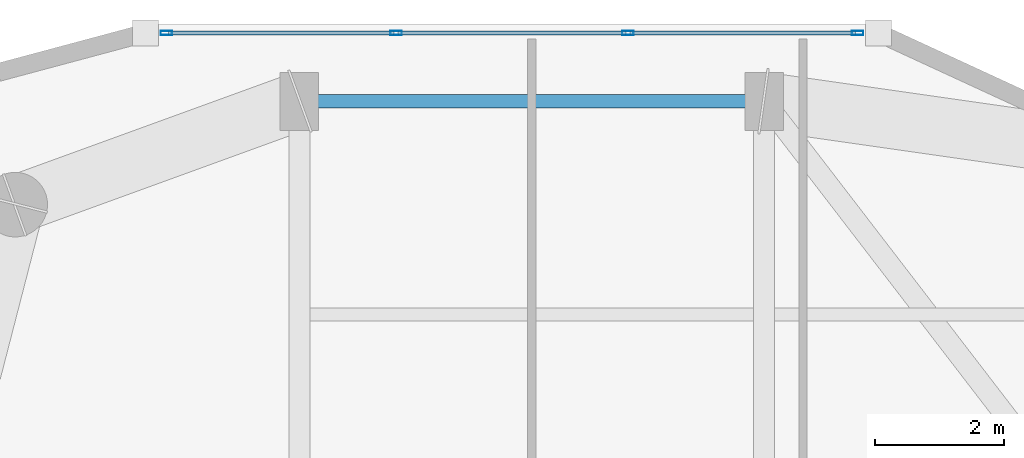
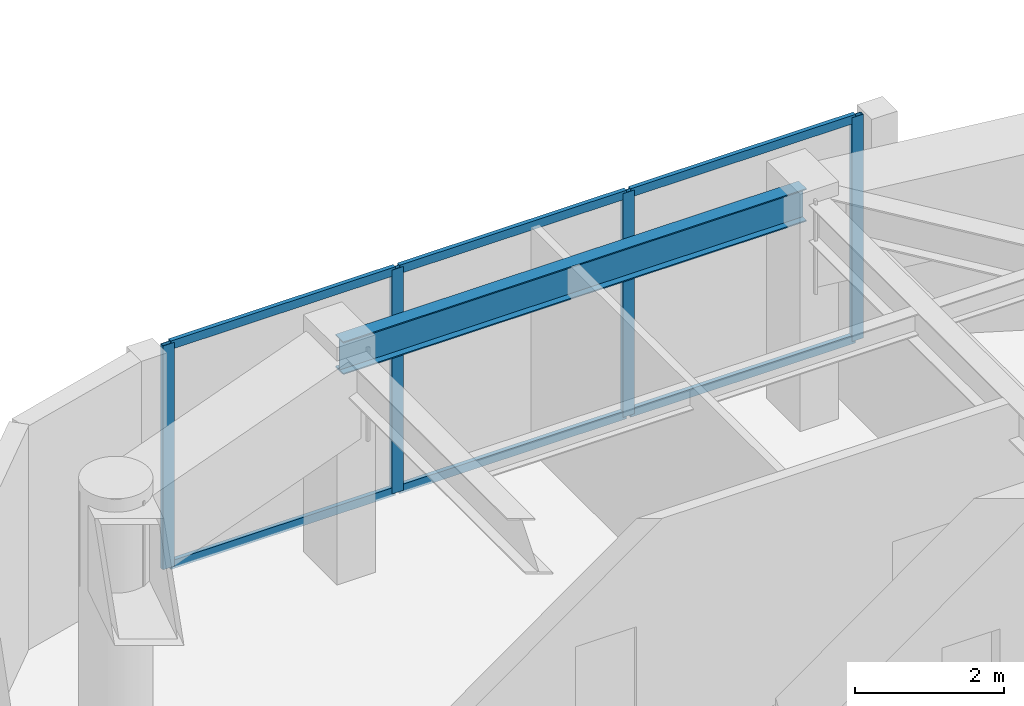
# One storey, part 6 of 15: 10 members, 1 beam, 1 element without a shape of its own.
"""IFC4 building model written with IfcOpenShell, lengths in metres."""

import ifcopenshell
import ifcopenshell.guid

model = None  # the IFC model being written
_history = None  # IfcOwnerHistory: only IFC2X3 demands one
_inside = {}  # id of a spatial element -> (the spatial element, [elements in it])
_under = {}  # id of a project, library or spatial element -> (it, [spatial elements below it])
_declared = {}  # id of a project -> (the project, [libraries it declares])
_typed = {}  # id of a type object -> (the type object, [elements of that type])
_made_of = {}  # id of a material, layer set ... -> (it, [elements and type objects made of it])


def new_model(schema):
    """Start an empty IFC model of exactly this schema.

    Asked for "IFC4X3", IfcOpenShell would pick the latest addendum, in which some entities
    have other attributes; the version numbers below select the first issue.
    IFC2X3 requires an IfcOwnerHistory on every rooted entity: one is made here for all.
    """
    global model, _history
    if schema == "IFC4X3":
        model = ifcopenshell.file(schema_version=(4, 3, 0, 0))
    else:
        model = ifcopenshell.file(schema=schema)
    _inside.clear()
    _under.clear()
    _declared.clear()
    _typed.clear()
    _made_of.clear()
    _history = None
    if model.schema == "IFC2X3":
        org = make("IfcOrganization", Name="unknown")
        user = make(
            "IfcPersonAndOrganization",
            ThePerson=make("IfcPerson", FamilyName="unknown"),
            TheOrganization=org,
        )
        app = make(
            "IfcApplication",
            ApplicationDeveloper=org,
            Version="unknown",
            ApplicationFullName="unknown",
            ApplicationIdentifier="unknown",
        )
        _history = make(
            "IfcOwnerHistory",
            OwningUser=user,
            OwningApplication=app,
            ChangeAction="ADDED",
            CreationDate=0,
        )
    return model


def make(cls, **values):
    """One entity of the class cls with the attributes given. An attribute that is None is left unset."""
    return model.create_entity(
        cls, **{name: value for name, value in values.items() if value is not None}
    )


def rooted(cls, **values):
    """An entity with a GlobalId (a new one), such as an element, a storey or a relation."""
    return make(cls, GlobalId=ifcopenshell.guid.new(), OwnerHistory=_history, **values)


def si_unit(unit_type, name, prefix=None):
    """IfcSIUnit, for example si_unit("LENGTHUNIT", "METRE", prefix="MILLI")."""
    return make("IfcSIUnit", UnitType=unit_type, Prefix=prefix, Name=name)


def assignment(units):
    """IfcUnitAssignment: the units of a project."""
    return None if units is None else make("IfcUnitAssignment", Units=units)


def point(xyz):
    """IfcCartesianPoint."""
    return None if xyz is None else make("IfcCartesianPoint", Coordinates=xyz)


def direction(xyz):
    """IfcDirection."""
    return None if xyz is None else make("IfcDirection", DirectionRatios=xyz)


def frame(location, z_axis=None, x_axis=None):
    """IfcAxis2Placement3D, a coordinate frame: its origin and axes. An axis left out is left unset."""
    return make(
        "IfcAxis2Placement3D",
        Location=point(location),
        Axis=direction(z_axis),
        RefDirection=direction(x_axis),
    )


def frame_2d(location, x_axis=None):
    """IfcAxis2Placement2D, a coordinate frame in the plane: its origin and x axis."""
    return make(
        "IfcAxis2Placement2D", Location=point(location), RefDirection=direction(x_axis)
    )


def origin():
    """The frame at (0, 0, 0) with its axes left unset."""
    return frame((0.0, 0.0, 0.0))


def origin_2d():
    """The frame at (0, 0) in the plane with its x axis left unset."""
    return frame_2d((0.0, 0.0))


def place(relative_to, where):
    """IfcLocalPlacement: puts the frame where relative to a parent placement (None: the world)."""
    return make(
        "IfcLocalPlacement", PlacementRelTo=relative_to, RelativePlacement=where
    )


def context(
    kind, dimensions, precision=None, world=None, true_north=None, identifier=None
):
    """IfcGeometricRepresentationContext, for example the 3D "Model" context."""
    return make(
        "IfcGeometricRepresentationContext",
        ContextIdentifier=identifier,
        ContextType=kind,
        CoordinateSpaceDimension=dimensions,
        Precision=precision,
        WorldCoordinateSystem=world,
        TrueNorth=true_north,
    )


def subcontext(parent, identifier, kind, view, scale=None):
    """IfcGeometricRepresentationSubContext, for example "Body" below "Model"."""
    return make(
        "IfcGeometricRepresentationSubContext",
        ContextIdentifier=identifier,
        ContextType=kind,
        ParentContext=parent,
        TargetScale=scale,
        TargetView=view,
    )


def project(units=None, contexts=None):
    """IfcProject with its units and contexts."""
    return rooted(
        "IfcProject",
        Name="project",
        RepresentationContexts=contexts,
        UnitsInContext=assignment(units),
    )


def spatial(cls, under=None, at=None, **own):
    """A site, building, storey or space (cls), placed at a placement, below another one or the project."""
    s = rooted(cls, ObjectPlacement=at, **own)
    if under is not None:
        _under.setdefault(under.id(), (under, []))[1].append(s)
    return s


def profile(cls, at=None, kind="AREA", **sizes):
    """A parametric profile (cls). Its sizes go by their IFC names, for example OverallWidth=200.0."""
    return make(cls, ProfileType=kind, Position=at, **sizes)


def hollow_rectangle(**sizes):
    """IfcRectangleHollowProfileDef."""
    return profile("IfcRectangleHollowProfileDef", **sizes)


def i_section(**sizes):
    """IfcIShapeProfileDef."""
    return profile("IfcIShapeProfileDef", **sizes)


def extrude(swept, where, along, depth):
    """IfcExtrudedAreaSolid: the profile swept, set in the frame where, extruded along a direction by depth."""
    return make(
        "IfcExtrudedAreaSolid",
        SweptArea=swept,
        Position=where,
        ExtrudedDirection=direction(along),
        Depth=depth,
    )


def shape(context_of_items, identifier, shape_type, items):
    """IfcShapeRepresentation: the items that make up one representation, for example the "Body"."""
    return make(
        "IfcShapeRepresentation",
        ContextOfItems=context_of_items,
        RepresentationIdentifier=identifier,
        RepresentationType=shape_type,
        Items=items,
    )


def material(Name=None, Category=None):
    """IfcMaterial."""
    return make("IfcMaterial", Name=Name, Category=Category)


def layer(
    of_material, thickness, ventilated=None, Name=None, Category=None, Priority=None
):
    """IfcMaterialLayer: one layer of a wall or slab, of a material (None: an air gap)."""
    return make(
        "IfcMaterialLayer",
        Material=of_material,
        LayerThickness=thickness,
        IsVentilated=ventilated,
        Name=Name,
        Category=Category,
        Priority=Priority,
    )


def layer_set(layers, Name=None):
    """IfcMaterialLayerSet."""
    return make("IfcMaterialLayerSet", MaterialLayers=layers, LayerSetName=Name)


def material_profile(
    of_material, cross_section, Name=None, Category=None, Priority=None
):
    """IfcMaterialProfile: a cross section and its material."""
    return make(
        "IfcMaterialProfile",
        Name=Name,
        Material=of_material,
        Profile=cross_section,
        Priority=Priority,
        Category=Category,
    )


def profile_set(profiles, Name=None, composite=None):
    """IfcMaterialProfileSet."""
    return make(
        "IfcMaterialProfileSet",
        Name=Name,
        MaterialProfiles=profiles,
        CompositeProfile=composite,
    )


def made_of(thing, what):
    """Note that an element or type object is made of a material, layer set ...; save() writes the relation."""
    if what is not None:
        _made_of.setdefault(what.id(), (what, []))[1].append(thing)
    return thing


def type_object(cls, material=None, **own):
    """A type object (cls), such as IfcWallType, which elements share."""
    return made_of(rooted(cls, **own), material)


def element(
    cls,
    number,
    at=None,
    inside=None,
    cuts=None,
    type_object=None,
    material=None,
    context=None,
    identifier="Body",
    shape_type=None,
    held_by="IfcProductDefinitionShape",
    body=None,
    shapes=None,
    **own,
):
    """One element of the class cls, such as IfcWall. Its Tag is "e" and its number.

    at: its placement. inside: the storey or other place that contains it. cuts: it is an
    opening in that element (IfcRelVoidsElement). A single representation is given by context,
    identifier, shape_type and body (its items); several are given by shapes. held_by: the class
    of the entity that holds the representations. save() writes the other relations.
    """
    e = rooted(cls, Tag="e%d" % number, ObjectPlacement=at, **own)
    if body is not None:
        shapes = [shape(context, identifier, shape_type, body)]
    if shapes is not None:
        e.Representation = make(held_by, Representations=shapes)
    if inside is not None:
        _inside.setdefault(inside.id(), (inside, []))[1].append(e)
    if cuts is not None:
        rooted(
            "IfcRelVoidsElement", RelatingBuildingElement=cuts, RelatedOpeningElement=e
        )
    if type_object is not None:
        _typed.setdefault(type_object.id(), (type_object, []))[1].append(e)
    return made_of(e, material)


def aggregate(whole, parts):
    """IfcRelAggregates: a whole, such as a stair, and the parts it consists of."""
    return rooted("IfcRelAggregates", RelatingObject=whole, RelatedObjects=parts)


def save(model, path):
    """Write the relations noted so far, then the file.

    IfcRelAggregates (storeys below a building ...), IfcRelContainedInSpatialStructure (elements
    in a storey), IfcRelDefinesByType, IfcRelAssociatesMaterial and IfcRelDeclares: one each for
    every whole, place, type object, material and project.
    """
    for whole, parts in _under.values():
        aggregate(whole, parts)
    for where, things in _inside.values():
        rooted(
            "IfcRelContainedInSpatialStructure",
            RelatedElements=things,
            RelatingStructure=where,
        )
    for kind, things in _typed.values():
        rooted("IfcRelDefinesByType", RelatedObjects=things, RelatingType=kind)
    for what, things in _made_of.values():
        rooted("IfcRelAssociatesMaterial", RelatedObjects=things, RelatingMaterial=what)
    for by, libraries in _declared.values():
        rooted("IfcRelDeclares", RelatingContext=by, RelatedDefinitions=libraries)
    model.write(path)


model = new_model("IFC4")

# Units and contexts
model_context = context("Model", 3, precision=1e-05, world=origin(), true_north=direction((0.0, 1.0)))
body_context = subcontext(model_context, "Body", "Model", "MODEL_VIEW")
ifc_project = project(units=[si_unit("LENGTHUNIT", "METRE"), si_unit("AREAUNIT", "SQUARE_METRE"), si_unit("VOLUMEUNIT", "CUBIC_METRE"), si_unit("PLANEANGLEUNIT", "RADIAN"), si_unit("MASSUNIT", "GRAM", prefix="KILO")], contexts=[model_context])

# Site, building, storey
site_placement = place(None, origin())
site = spatial("IfcSite", under=ifc_project, at=site_placement, CompositionType="ELEMENT")
building_placement = place(site_placement, origin())
building = spatial("IfcBuilding", under=site, at=building_placement, Name="Kiyonajd Concourse Tower", CompositionType="ELEMENT")
storey_placement = place(building_placement, frame((0.0, 0.0, 274.5)))
storey = spatial("IfcBuildingStorey", under=building, at=storey_placement, Name="L69", CompositionType="ELEMENT", Elevation=274.5)

# Beam
ifc_material_1 = material(Name="Steel ASTM A992 Grade 50", Category="steel")
ifc_material_profile_1 = material_profile(ifc_material_1, i_section(OverallWidth=0.2109375, OverallDepth=0.5390625, WebThickness=0.01171875, FlangeThickness=0.018798828125, at=origin_2d()), Name="W530X109")
ifc_profile_set_1 = profile_set([ifc_material_profile_1], Name="Steel ASTM A992 Grade 50")
beam_type = type_object("IfcBeamType", Name="BM-SPAN-530B", PredefinedType="SPANDREL", material=ifc_profile_set_1)
beam_placement = place(storey_placement, frame((39.60009765625, 52.199951171875, 3.410400390625), z_axis=(-1.0, 0.0, 0.0), x_axis=(0.0, -1.0, 0.0)))
element("IfcBeam", 1, at=beam_placement, inside=storey, type_object=beam_type, Name="L69 Perimeter Bundled Tube Spandrel", PredefinedType="SPANDREL", context=body_context, shape_type="SweptSolid", body=[
    extrude(i_section(OverallWidth=0.2109375, OverallDepth=0.5390625, WebThickness=0.01171875, FlangeThickness=0.018798828125, at=origin_2d()), origin(), (0.0, 0.0, 1.0), 7.2001953125),
])

# Curtain wall, members
ifc_material_2 = material(Name="Thermally Broken Anodised Aluminium", Category="aluminium")
ifc_layer = layer(ifc_material_2, 0.179931640625)
ifc_layer_set = layer_set([ifc_layer], Name="Thermally Broken Anodised Aluminium")
curtain_wall_type = type_object("IfcCurtainWallType", Name="CW-SYS-04", PredefinedType="NOTDEFINED", material=ifc_layer_set)
curtain_wall_placement = place(storey_placement, origin())
curtain_wall = element("IfcCurtainWall", 2, at=curtain_wall_placement, inside=storey, type_object=curtain_wall_type, Name="L69 Unitised Curtain Wall CW4", PredefinedType="NOTDEFINED")
ifc_material_profile_2 = material_profile(ifc_material_2, hollow_rectangle(XDim=0.06494140625, YDim=0.179931640625, WallThickness=0.00390625, at=origin_2d()), Name="MULL-65x180")
ifc_profile_set_2 = profile_set([ifc_material_profile_2], Name="Thermally Broken Anodised Aluminium")
member_type_1 = type_object("IfcMemberType", Name="MB-CW-MULL1", PredefinedType="MULLION", material=ifc_profile_set_2)
member_1_placement = place(storey_placement, frame((30.3408203125, 53.260009765625, 0.0), z_axis=(0.0, 0.0, 1.0), x_axis=(0.0, 1.0, 0.0)))
member_1 = element("IfcMember", 3, at=member_1_placement, type_object=member_type_1, Name="CW4 mullion 1", PredefinedType="MULLION", context=body_context, shape_type="SweptSolid", body=[
    extrude(hollow_rectangle(XDim=0.06494140625, YDim=0.179931640625, WallThickness=0.00390625, at=origin_2d()), origin(), (0.0, 0.0, 1.0), 3.679931640625),
])
member_2_placement = place(storey_placement, frame((33.898681640625, 53.260009765625, 0.0), z_axis=(0.0, 0.0, 1.0), x_axis=(0.0, 1.0, 0.0)))
member_2 = element("IfcMember", 4, at=member_2_placement, type_object=member_type_1, Name="CW4 mullion 2", PredefinedType="MULLION", context=body_context, shape_type="SweptSolid", body=[
    extrude(hollow_rectangle(XDim=0.06494140625, YDim=0.179931640625, WallThickness=0.00390625, at=origin_2d()), origin(), (0.0, 0.0, 1.0), 3.679931640625),
])
member_3_placement = place(storey_placement, frame((37.489013671875, 53.260009765625, 0.0), z_axis=(0.0, 0.0, 1.0), x_axis=(0.0, 1.0, 0.0)))
member_3 = element("IfcMember", 5, at=member_3_placement, type_object=member_type_1, Name="CW4 mullion 3", PredefinedType="MULLION", context=body_context, shape_type="SweptSolid", body=[
    extrude(hollow_rectangle(XDim=0.06494140625, YDim=0.179931640625, WallThickness=0.00390625, at=origin_2d()), origin(), (0.0, 0.0, 1.0), 3.679931640625),
])
member_4_placement = place(storey_placement, frame((41.046875, 53.260009765625, 0.0), z_axis=(0.0, 0.0, 1.0), x_axis=(0.0, 1.0, 0.0)))
member_4 = element("IfcMember", 6, at=member_4_placement, type_object=member_type_1, Name="CW4 mullion 4", PredefinedType="MULLION", context=body_context, shape_type="SweptSolid", body=[
    extrude(hollow_rectangle(XDim=0.06494140625, YDim=0.179931640625, WallThickness=0.00390625, at=origin_2d()), origin(), (0.0, 0.0, 1.0), 3.679931640625),
])
ifc_material_profile_3 = material_profile(ifc_material_2, hollow_rectangle(XDim=0.06494140625, YDim=0.139892578125, WallThickness=0.00390625, at=origin_2d()), Name="TRAN-65x140")
ifc_profile_set_3 = profile_set([ifc_material_profile_3], Name="Thermally Broken Anodised Aluminium")
member_type_2 = type_object("IfcMemberType", Name="MB-CW-TRAN1", PredefinedType="USERDEFINED", material=ifc_profile_set_3)
member_5_placement = place(storey_placement, frame((30.373291015625, 53.260009765625, 0.032470703125), z_axis=(1.0, 0.0, 0.0), x_axis=(0.0, 1.0, 0.0)))
member_5 = element("IfcMember", 7, at=member_5_placement, type_object=member_type_2, Name="CW4 transom 1.1", ObjectType="TRANSOM", PredefinedType="USERDEFINED", context=body_context, shape_type="SweptSolid", body=[
    extrude(hollow_rectangle(XDim=0.06494140625, YDim=0.139892578125, WallThickness=0.00390625, at=origin_2d()), origin(), (0.0, 0.0, 1.0), 3.492919921875),
])
member_6_placement = place(storey_placement, frame((30.373291015625, 53.260009765625, 3.6474609375), z_axis=(1.0, 0.0, 0.0), x_axis=(0.0, 1.0, 0.0)))
member_6 = element("IfcMember", 8, at=member_6_placement, type_object=member_type_2, Name="CW4 transom 1.2", ObjectType="TRANSOM", PredefinedType="USERDEFINED", context=body_context, shape_type="SweptSolid", body=[
    extrude(hollow_rectangle(XDim=0.06494140625, YDim=0.139892578125, WallThickness=0.00390625, at=origin_2d()), origin(), (0.0, 0.0, 1.0), 3.492919921875),
])
member_7_placement = place(storey_placement, frame((33.93115234375, 53.260009765625, 0.032470703125), z_axis=(1.0, 0.0, 0.0), x_axis=(0.0, 1.0, 0.0)))
member_7 = element("IfcMember", 9, at=member_7_placement, type_object=member_type_2, Name="CW4 transom 2.1", ObjectType="TRANSOM", PredefinedType="USERDEFINED", context=body_context, shape_type="SweptSolid", body=[
    extrude(hollow_rectangle(XDim=0.06494140625, YDim=0.139892578125, WallThickness=0.00390625, at=origin_2d()), origin(), (0.0, 0.0, 1.0), 3.525390625),
])
member_8_placement = place(storey_placement, frame((33.93115234375, 53.260009765625, 3.6474609375), z_axis=(1.0, 0.0, 0.0), x_axis=(0.0, 1.0, 0.0)))
member_8 = element("IfcMember", 10, at=member_8_placement, type_object=member_type_2, Name="CW4 transom 2.2", ObjectType="TRANSOM", PredefinedType="USERDEFINED", context=body_context, shape_type="SweptSolid", body=[
    extrude(hollow_rectangle(XDim=0.06494140625, YDim=0.139892578125, WallThickness=0.00390625, at=origin_2d()), origin(), (0.0, 0.0, 1.0), 3.525390625),
])
member_9_placement = place(storey_placement, frame((37.521484375, 53.260009765625, 0.032470703125), z_axis=(1.0, 0.0, 0.0), x_axis=(0.0, 1.0, 0.0)))
member_9 = element("IfcMember", 11, at=member_9_placement, type_object=member_type_2, Name="CW4 transom 3.1", ObjectType="TRANSOM", PredefinedType="USERDEFINED", context=body_context, shape_type="SweptSolid", body=[
    extrude(hollow_rectangle(XDim=0.06494140625, YDim=0.139892578125, WallThickness=0.00390625, at=origin_2d()), origin(), (0.0, 0.0, 1.0), 3.492919921875),
])
member_10_placement = place(storey_placement, frame((37.521484375, 53.260009765625, 3.6474609375), z_axis=(1.0, 0.0, 0.0), x_axis=(0.0, 1.0, 0.0)))
member_10 = element("IfcMember", 12, at=member_10_placement, type_object=member_type_2, Name="CW4 transom 3.2", ObjectType="TRANSOM", PredefinedType="USERDEFINED", context=body_context, shape_type="SweptSolid", body=[
    extrude(hollow_rectangle(XDim=0.06494140625, YDim=0.139892578125, WallThickness=0.00390625, at=origin_2d()), origin(), (0.0, 0.0, 1.0), 3.492919921875),
])
aggregate(curtain_wall, [member_1, member_2, member_3, member_4, member_5, member_6, member_7, member_8, member_9, member_10])

save(model, "model.ifc")
